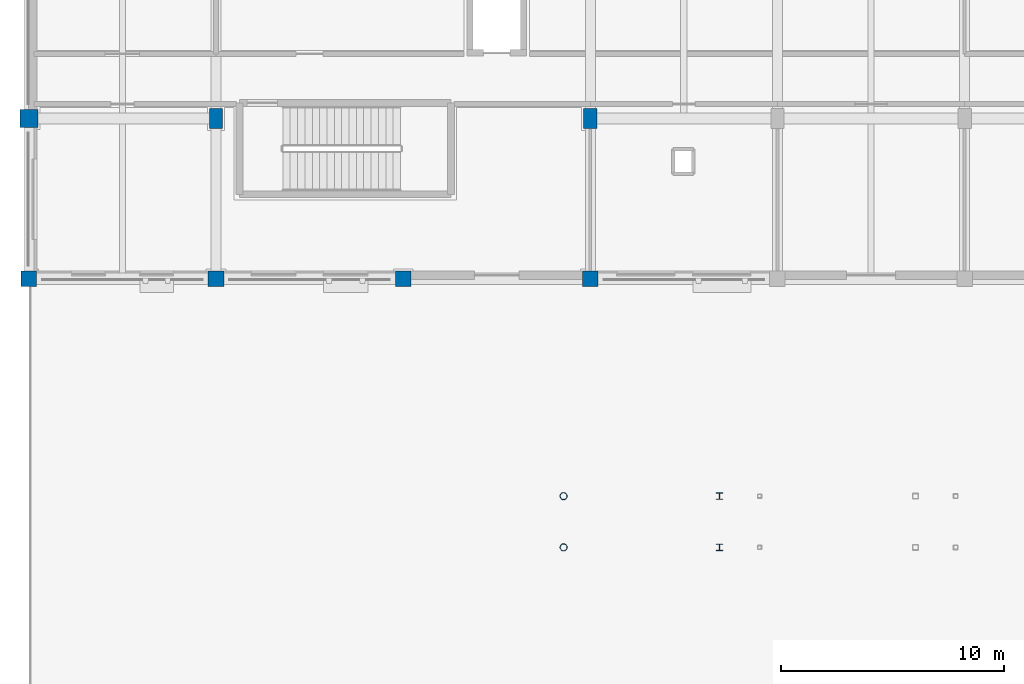
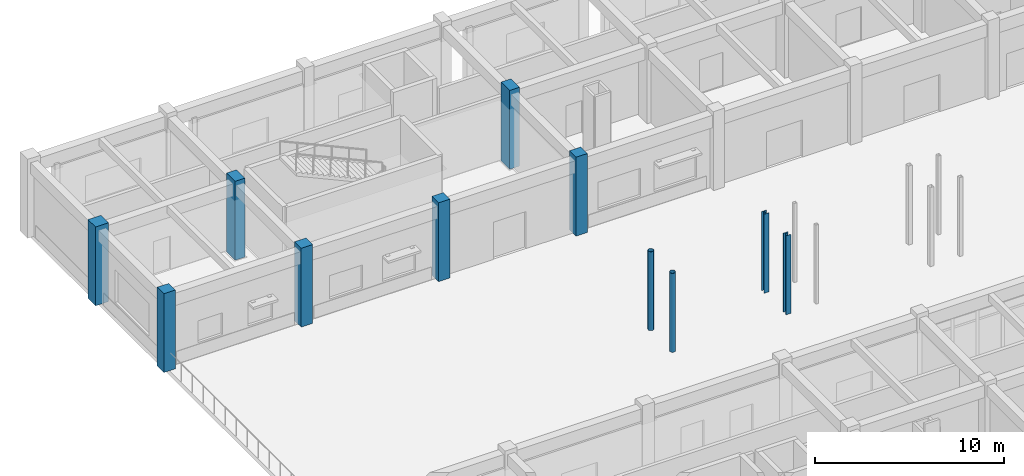
# One storey, part 15 of 121: 11 columns.
"""IFC4 building model written with IfcOpenShell, lengths in metres."""

from ifc_helpers import new_model, si_unit, direction, frame, origin, origin_2d, place, context, subcontext, project, spatial, rectangle, hollow_circle, i_section, extrude, material, material_profile, profile_set, type_object, element, save


model = new_model("IFC4")

# Units and contexts
model_context = context("Model", 3, precision=1e-05, world=origin(), true_north=direction((0.0, 1.0)))
body_context = subcontext(model_context, "Body", "Model", "MODEL_VIEW")
ifc_project = project(units=[si_unit("LENGTHUNIT", "METRE"), si_unit("AREAUNIT", "SQUARE_METRE"), si_unit("VOLUMEUNIT", "CUBIC_METRE"), si_unit("PLANEANGLEUNIT", "RADIAN"), si_unit("MASSUNIT", "GRAM", prefix="KILO")], contexts=[model_context])

# Site, building, storey
site_placement = place(None, origin())
site = spatial("IfcSite", under=ifc_project, at=site_placement, CompositionType="ELEMENT")
building_placement = place(site_placement, origin())
building = spatial("IfcBuilding", under=site, at=building_placement, Name="Malvenik Polytechnic", CompositionType="ELEMENT")
storey_placement = place(building_placement, origin())
storey = spatial("IfcBuildingStorey", under=building, at=storey_placement, Name="L00", CompositionType="ELEMENT", Elevation=0.0)

# Columns
ifc_material_1 = material(Name="Concrete C40/50", Category="concrete")
ifc_material_profile_1 = material_profile(ifc_material_1, rectangle(XDim=0.800048828125, YDim=0.800048828125, at=origin_2d()), Name="RC COL 800x800")
ifc_profile_set_1 = profile_set([ifc_material_profile_1], Name="Concrete C40/50")
column_type_1 = type_object("IfcColumnType", Name="STR-COL-C-02", PredefinedType="COLUMN", material=ifc_profile_set_1)
column_placement = place(storey_placement, frame((0.0, 122.39990234375, 0.0), z_axis=(0.0, 0.0, 1.0), x_axis=(1.0, 0.0, 0.0)))
element("IfcColumn", 1, at=column_placement, inside=storey, type_object=column_type_1, Name="Column C-02 L00 (0.0,122.4)", PredefinedType="COLUMN", context=body_context, shape_type="SweptSolid", body=[
    extrude(rectangle(XDim=0.800048828125, YDim=0.800048828125, at=origin_2d()), origin(), (0.0, 0.0, 1.0), 5.10009765625),
])
ifc_material_profile_2 = material_profile(ifc_material_1, rectangle(XDim=0.699951171875, YDim=0.699951171875, at=origin_2d()), Name="RC COL 700x700")
ifc_profile_set_2 = profile_set([ifc_material_profile_2], Name="Concrete C40/50")
column_type_2 = type_object("IfcColumnType", Name="STR-COL-C-04", PredefinedType="COLUMN", material=ifc_profile_set_2)
for number, where, z_axis, x_axis, name in (
    (2, (0.0, 115.199951171875, 0.0), (0.0, 0.0, 1.0), (1.0, 0.0, 0.0), "Column C-04 L00 (0.0,115.2)"),
    (3, (8.39990234375, 115.199951171875, 0.0), (0.0, 0.0, 1.0), (1.0, 0.0, 0.0), "Column C-04 L00 (8.4,115.2)"),
    (4, (16.800048828125, 115.199951171875, 0.0), (0.0, 0.0, 1.0), (1.0, 0.0, 0.0), "Column C-04 L00 (16.8,115.2)"),
    (5, (25.199951171875, 115.199951171875, 0.0), (0.0, 0.0, 1.0), (1.0, 0.0, 0.0), "Column C-04 L00 (25.2,115.2)"),
):
    element("IfcColumn", number, at=place(storey_placement, frame(where, z_axis=z_axis, x_axis=x_axis)), inside=storey, type_object=column_type_2, Name=name, PredefinedType="COLUMN", context=body_context, shape_type="SweptSolid", body=[
        extrude(rectangle(XDim=0.699951171875, YDim=0.699951171875, at=origin_2d()), origin(), (0.0, 0.0, 1.0), 5.10009765625),
    ])
ifc_material_profile_3 = material_profile(ifc_material_1, rectangle(XDim=0.60009765625, YDim=0.89990234375, at=origin_2d()), Name="RC COL 900x600")
ifc_profile_set_3 = profile_set([ifc_material_profile_3], Name="Concrete C40/50")
column_type_3 = type_object("IfcColumnType", Name="STR-COL-C-11", PredefinedType="COLUMN", material=ifc_profile_set_3)
for number, where, z_axis, x_axis, name in (
    (6, (8.39990234375, 122.39990234375, 0.0), (0.0, 0.0, 1.0), (1.0, 0.0, 0.0), "Column C-11 L00 (8.4,122.4)"),
    (7, (25.199951171875, 122.39990234375, 0.0), (0.0, 0.0, 1.0), (1.0, 0.0, 0.0), "Column C-11 L00 (25.2,122.4)"),
):
    element("IfcColumn", number, at=place(storey_placement, frame(where, z_axis=z_axis, x_axis=x_axis)), inside=storey, type_object=column_type_3, Name=name, PredefinedType="COLUMN", context=body_context, shape_type="SweptSolid", body=[
        extrude(rectangle(XDim=0.60009765625, YDim=0.89990234375, at=origin_2d()), origin(), (0.0, 0.0, 1.0), 5.10009765625),
    ])
ifc_material_2 = material(Name="Steel S355J2H", Category="steel")
ifc_material_profile_4 = material_profile(ifc_material_2, hollow_circle(Radius=0.161865234375, WallThickness=0.012451171875, at=origin_2d()), Name="CHS 323.9x12.5")
ifc_profile_set_4 = profile_set([ifc_material_profile_4], Name="Steel S355J2H")
column_type_4 = type_object("IfcColumnType", Name="STR-SCOL-SC-04", PredefinedType="COLUMN", material=ifc_profile_set_4)
for number, where, z_axis, x_axis, name in (
    (8, (24.0, 103.14990234375, 0.0), (0.0, 0.0, 1.0), (1.0, 0.0, 0.0), "Bridge-Ramp Support Column SC-04 L00"),
    (9, (24.0, 105.449951171875, 0.0), (0.0, 0.0, 1.0), (1.0, 0.0, 0.0), "Bridge-Ramp Support Column SC-04 L00"),
):
    element("IfcColumn", number, at=place(storey_placement, frame(where, z_axis=z_axis, x_axis=x_axis)), inside=storey, type_object=column_type_4, Name=name, PredefinedType="COLUMN", context=body_context, shape_type="SweptSolid", body=[
        extrude(hollow_circle(Radius=0.161865234375, WallThickness=0.012451171875, at=origin_2d()), origin(), (0.0, 0.0, 1.0), 5.10009765625),
    ])
ifc_material_3 = material(Name="Steel S355", Category="steel")
ifc_material_profile_5 = material_profile(ifc_material_3, i_section(OverallWidth=0.300048828125, OverallDepth=0.300048828125, WebThickness=0.010986328125, FlangeThickness=0.01904296875, FilletRadius=0.027099609375, at=origin_2d()), Name="HEB 300")
ifc_profile_set_5 = profile_set([ifc_material_profile_5], Name="Steel S355")
column_type_5 = type_object("IfcColumnType", Name="STR-SCOL-SC-05", PredefinedType="COLUMN", material=ifc_profile_set_5)
for number, where, z_axis, x_axis, name in (
    (10, (31.0, 103.14990234375, 0.0), (0.0, 0.0, 1.0), (1.0, 0.0, 0.0), "Bridge-Ramp Support Column SC-05 L00"),
    (11, (31.0, 105.449951171875, 0.0), (0.0, 0.0, 1.0), (1.0, 0.0, 0.0), "Bridge-Ramp Support Column SC-05 L00"),
):
    element("IfcColumn", number, at=place(storey_placement, frame(where, z_axis=z_axis, x_axis=x_axis)), inside=storey, type_object=column_type_5, Name=name, PredefinedType="COLUMN", context=body_context, shape_type="SweptSolid", body=[
        extrude(i_section(OverallWidth=0.300048828125, OverallDepth=0.300048828125, WebThickness=0.010986328125, FlangeThickness=0.01904296875, FilletRadius=0.027099609375, at=origin_2d()), origin(), (0.0, 0.0, 1.0), 5.10009765625),
    ])

save(model, "model.ifc")
